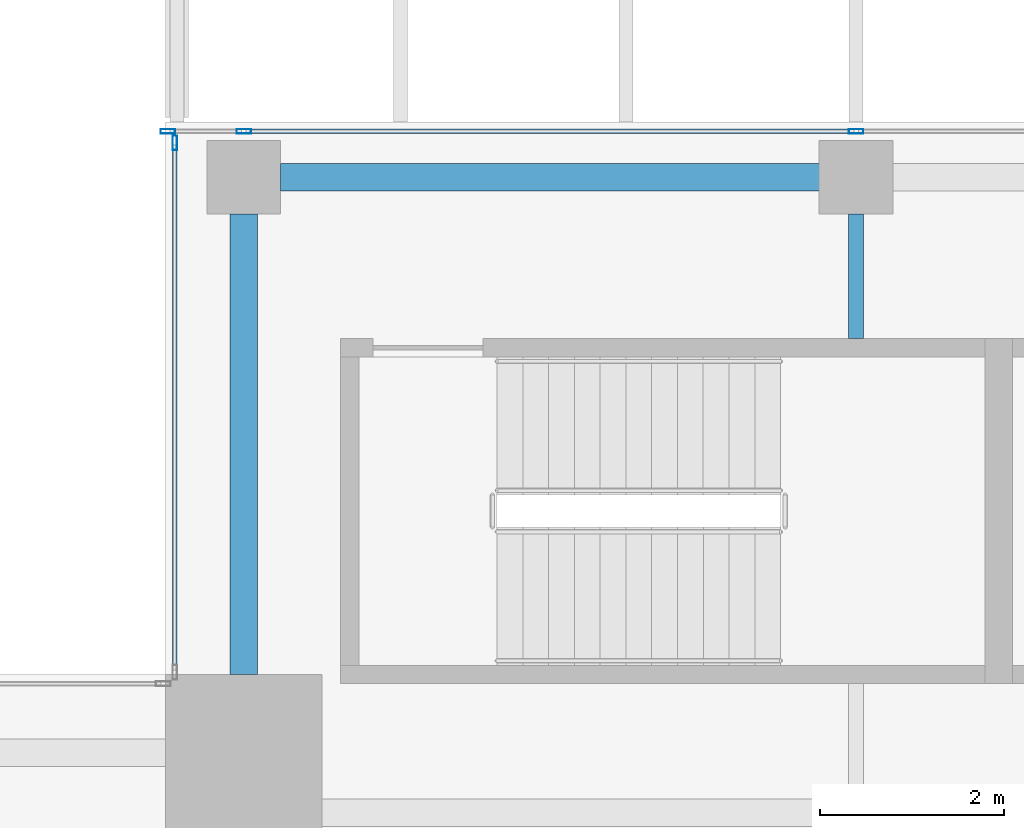
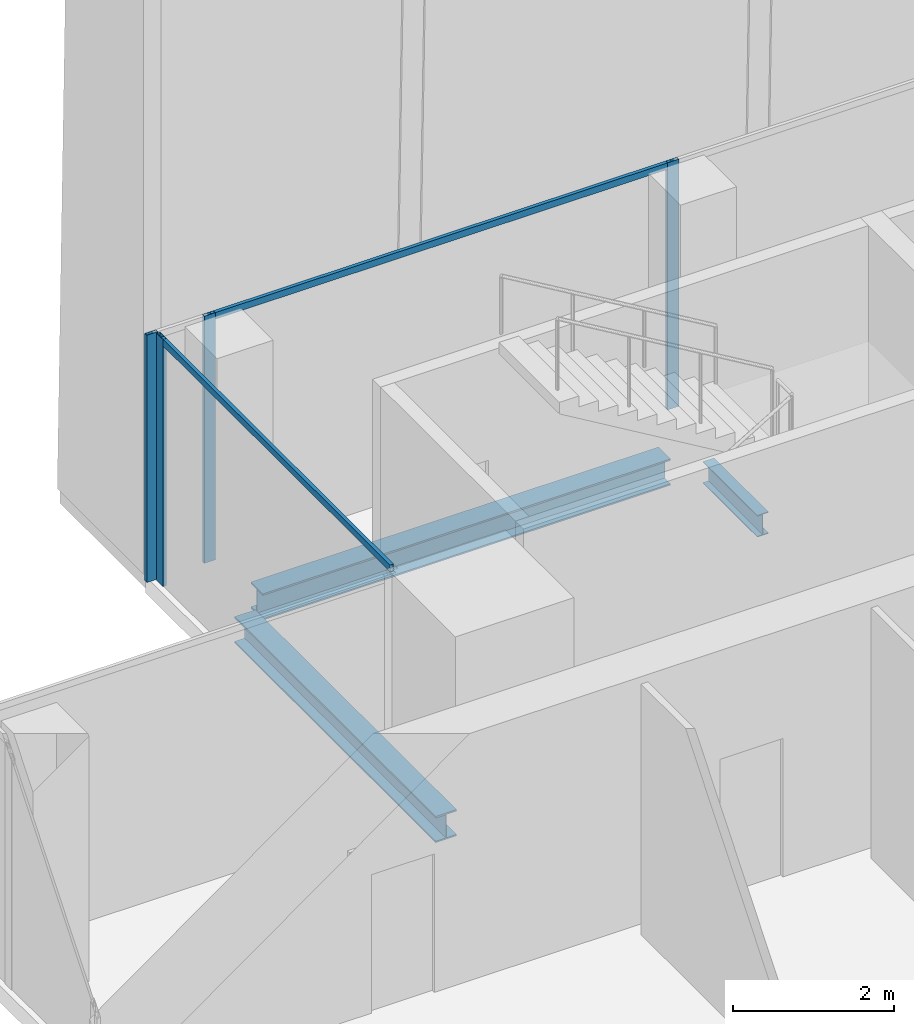
# One storey, part 14 of 33: 6 members, 3 beams, 2 elements without a shape of their own.
"""IFC4 building model written with IfcOpenShell, lengths in metres."""

from ifc_helpers import new_model, si_unit, direction, frame, origin, origin_2d, place, context, subcontext, project, spatial, hollow_rectangle, i_section, extrude, source, transform, mapped, material, material_profile, profile_set, type_object, element, aggregate, save


model = new_model("IFC4")

# Units and contexts
model_context = context("Model", 3, precision=1e-05, world=origin(), true_north=direction((0.0, 1.0)))
body_context = subcontext(model_context, "Body", "Model", "MODEL_VIEW")
ifc_project = project(units=[si_unit("LENGTHUNIT", "METRE"), si_unit("AREAUNIT", "SQUARE_METRE"), si_unit("VOLUMEUNIT", "CUBIC_METRE"), si_unit("PLANEANGLEUNIT", "RADIAN"), si_unit("MASSUNIT", "GRAM", prefix="KILO")], contexts=[model_context])

# Site, building, storey
site_placement = place(None, origin())
site = spatial("IfcSite", under=ifc_project, at=site_placement, CompositionType="ELEMENT")
building_placement = place(site_placement, origin())
building = spatial("IfcBuilding", under=site, at=building_placement, Name="Khomas Fold Tower", CompositionType="ELEMENT")
storey_placement = place(building_placement, frame((0.0, 0.0, 294.199951171875)))
storey = spatial("IfcBuildingStorey", under=building, at=storey_placement, Name="L66", CompositionType="ELEMENT", Elevation=294.199951171875)

# Beams
ifc_material_1 = material(Name="Steel S355", Category="steel")
ifc_material_profile_1 = material_profile(ifc_material_1, i_section(OverallWidth=0.159912109375, OverallDepth=0.330078125, WebThickness=0.007568359375, FlangeThickness=0.011474609375, at=origin_2d()), Name="IPE 330")
ifc_profile_set_1 = profile_set([ifc_material_profile_1], Name="Steel S355")
beam_type_1 = type_object("IfcBeamType", Name="IPE 330 beam JB1", PredefinedType="BEAM", material=ifc_profile_set_1)
shared_shape_1 = source(origin(), body_context, "Body", "SweptSolid", [
    extrude(i_section(OverallWidth=0.159912109375, OverallDepth=0.330078125, WebThickness=0.007568359375, FlangeThickness=0.011474609375, at=origin_2d()), origin(), (0.0, 0.0, 1.0), 1.35009765625),
])
beam_1_placement = place(storey_placement, frame((19.5, 45.64990234375, -0.4150390625), z_axis=(0.0, 1.0, 0.0), x_axis=(-1.0, 0.0, 0.0)))
element("IfcBeam", 1, at=beam_1_placement, inside=storey, type_object=beam_type_1, Name="JB1", PredefinedType="BEAM", context=body_context, shape_type="MappedRepresentation", body=[
    mapped(shared_shape_1, transform((0.0, 0.0, 0.0))),
])
ifc_material_2 = material(Name="Steel S355", Category="steel")
ifc_material_profile_2 = material_profile(ifc_material_2, i_section(OverallWidth=0.300048828125, OverallDepth=0.39990234375, WebThickness=0.013427734375, FlangeThickness=0.02392578125, at=origin_2d()), Name="HE 400 B")
ifc_profile_set_2 = profile_set([ifc_material_profile_2], Name="Steel S355")
beam_type_2 = type_object("IfcBeamType", Name="HE 400 B spandrel SB5", PredefinedType="SPANDREL", material=ifc_profile_set_2)
shared_shape_2 = source(origin(), body_context, "Body", "SweptSolid", [
    extrude(i_section(OverallWidth=0.300048828125, OverallDepth=0.39990234375, WebThickness=0.013427734375, FlangeThickness=0.02392578125, at=origin_2d()), origin(), (0.0, 0.0, 1.0), 5.85009765625),
])
beam_2_placement = place(storey_placement, frame((13.25, 47.39990234375, -0.449951171875), z_axis=(1.0, 0.0, 0.0), x_axis=(0.0, 1.0, 0.0)))
element("IfcBeam", 2, at=beam_2_placement, inside=storey, type_object=beam_type_2, Name="SB5", PredefinedType="SPANDREL", context=body_context, shape_type="MappedRepresentation", body=[
    mapped(shared_shape_2, transform((0.0, 0.0, 0.0))),
])
shared_shape_3 = source(origin(), body_context, "Body", "SweptSolid", [
    extrude(i_section(OverallWidth=0.300048828125, OverallDepth=0.39990234375, WebThickness=0.013427734375, FlangeThickness=0.02392578125, at=origin_2d()), origin(), (0.0, 0.0, 1.0), 5.0),
])
beam_3_placement = place(storey_placement, frame((12.85009765625, 42.0, -0.449951171875), z_axis=(0.0, 1.0, 0.0), x_axis=(-1.0, 0.0, 0.0)))
element("IfcBeam", 3, at=beam_3_placement, inside=storey, type_object=beam_type_2, Name="SB5", PredefinedType="SPANDREL", context=body_context, shape_type="MappedRepresentation", body=[
    mapped(shared_shape_3, transform((0.0, 0.0, 0.0))),
])

# Curtain wall, members
ifc_material_3 = material(Name="Aluminium framed double glazing", Category="aluminium")
curtain_wall_type = type_object("IfcCurtainWallType", Name="SK-Unitised clear-glass wall, upper floors CW3", PredefinedType="NOTDEFINED", material=ifc_material_3)
curtain_wall_1_placement = place(storey_placement, origin())
curtain_wall_1 = element("IfcCurtainWall", 4, at=curtain_wall_1_placement, inside=storey, type_object=curtain_wall_type, Name="CW3 run L66 06-1", PredefinedType="NOTDEFINED")
ifc_material_4 = material(Name="Aluminium", Category="aluminium")
ifc_material_profile_3 = material_profile(ifc_material_4, hollow_rectangle(XDim=0.050048828125, YDim=0.159912109375, WallThickness=0.00390625, at=origin_2d()), Name="SK-Unitised clear-glass wall, upper floors mullion CW3-M")
ifc_profile_set_3 = profile_set([ifc_material_profile_3], Name="Aluminium")
member_type_1 = type_object("IfcMemberType", Name="SK-Unitised clear-glass wall, upper floors mullion CW3-M", PredefinedType="MULLION", material=ifc_profile_set_3)
shared_shape_4 = source(origin(), body_context, "Body", "SweptSolid", [
    extrude(hollow_rectangle(XDim=0.050048828125, YDim=0.159912109375, WallThickness=0.00390625, at=origin_2d()), origin(), (0.0, 0.0, 1.0), 3.75),
])
member_1_placement = place(storey_placement, frame((19.5, 47.89990234375, 0.0), z_axis=(0.0, 0.0, 1.0), x_axis=(0.0, -1.0, 0.0)))
member_1 = element("IfcMember", 5, at=member_1_placement, type_object=member_type_1, Name="CW3 mullion 4", PredefinedType="MULLION", context=body_context, shape_type="MappedRepresentation", body=[
    mapped(shared_shape_4, transform((0.0, 0.0, 0.0))),
])
member_2_placement = place(storey_placement, frame((12.85009765625, 47.89990234375, 0.0), z_axis=(0.0, 0.0, 1.0), x_axis=(0.0, -1.0, 0.0)))
member_2 = element("IfcMember", 6, at=member_2_placement, type_object=member_type_1, Name="CW3 mullion 5", PredefinedType="MULLION", context=body_context, shape_type="MappedRepresentation", body=[
    mapped(shared_shape_4, transform((0.0, 0.0, 0.0))),
])
member_3_placement = place(storey_placement, frame((12.02490234375, 47.89990234375, 0.0), z_axis=(0.0, 0.0, 1.0), x_axis=(0.0, -1.0, 0.0)))
member_3 = element("IfcMember", 7, at=member_3_placement, type_object=member_type_1, Name="CW3 mullion 6", PredefinedType="MULLION", context=body_context, shape_type="MappedRepresentation", body=[
    mapped(shared_shape_4, transform((0.0, 0.0, 0.0))),
])

# Curtain wall, member
curtain_wall_2_placement = place(storey_placement, origin())
curtain_wall_2 = element("IfcCurtainWall", 8, at=curtain_wall_2_placement, inside=storey, type_object=curtain_wall_type, Name="CW3 corner return L66 07", PredefinedType="NOTDEFINED")
member_4_placement = place(storey_placement, frame((12.10009765625, 47.77490234375, 0.0), z_axis=(0.0, 0.0, 1.0), x_axis=(1.0, 0.0, 0.0)))
member_4 = element("IfcMember", 9, at=member_4_placement, type_object=member_type_1, Name="CW3 mullion 1", PredefinedType="MULLION", context=body_context, shape_type="MappedRepresentation", body=[
    mapped(shared_shape_4, transform((0.0, 0.0, 0.0))),
])

# Member
ifc_material_5 = material(Name="Aluminium", Category="aluminium")
ifc_material_profile_4 = material_profile(ifc_material_5, hollow_rectangle(XDim=0.050048828125, YDim=0.10009765625, WallThickness=0.00390625, at=origin_2d()), Name="SK-Unitised clear-glass wall, upper floors transom CW3-T")
ifc_profile_set_4 = profile_set([ifc_material_profile_4], Name="Aluminium")
member_type_2 = type_object("IfcMemberType", Name="SK-Unitised clear-glass wall, upper floors transom CW3-T", PredefinedType="USERDEFINED", material=ifc_profile_set_4)
shared_shape_5 = source(origin(), body_context, "Body", "SweptSolid", [
    extrude(hollow_rectangle(XDim=0.050048828125, YDim=0.10009765625, WallThickness=0.00390625, at=origin_2d()), origin(), (0.0, 0.0, 1.0), 6.60009765625),
])
member_5_placement = place(storey_placement, frame((19.47509765625, 47.89990234375, 3.699951171875), z_axis=(-1.0, 0.0, 0.0), x_axis=(0.0, -1.0, 0.0)))
member_5 = element("IfcMember", 10, at=member_5_placement, type_object=member_type_2, Name="CW3 transom 4", ObjectType="TRANSOM", PredefinedType="USERDEFINED", context=body_context, shape_type="MappedRepresentation", body=[
    mapped(shared_shape_5, transform((0.0, 0.0, 0.0))),
])

aggregate(curtain_wall_1, [member_1, member_2, member_3, member_5])

shared_shape_6 = source(origin(), body_context, "Body", "SweptSolid", [
    extrude(hollow_rectangle(XDim=0.050048828125, YDim=0.10009765625, WallThickness=0.00390625, at=origin_2d()), origin(), (0.0, 0.0, 1.0), 5.699951171875),
])
member_6_placement = place(storey_placement, frame((12.10009765625, 47.75, 3.699951171875), z_axis=(0.0, -1.0, 0.0), x_axis=(1.0, 0.0, 0.0)))
member_6 = element("IfcMember", 11, at=member_6_placement, type_object=member_type_2, Name="CW3 transom 1", ObjectType="TRANSOM", PredefinedType="USERDEFINED", context=body_context, shape_type="MappedRepresentation", body=[
    mapped(shared_shape_6, transform((0.0, 0.0, 0.0))),
])

aggregate(curtain_wall_2, [member_4, member_6])

save(model, "model.ifc")
